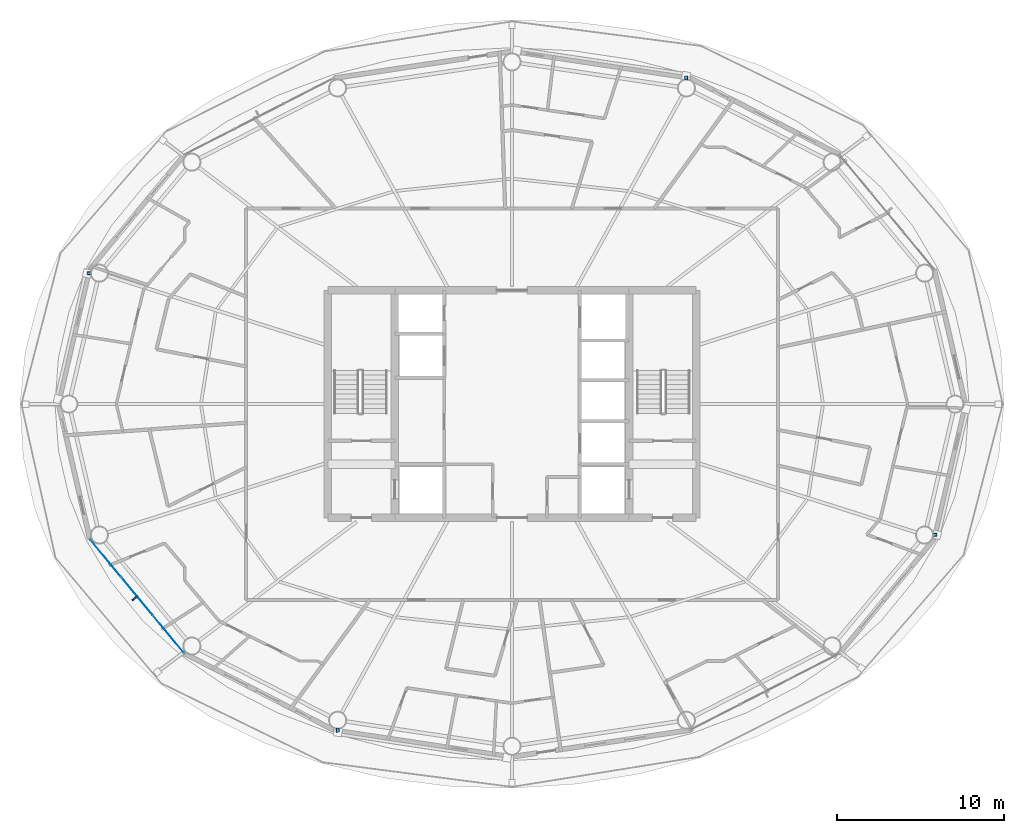
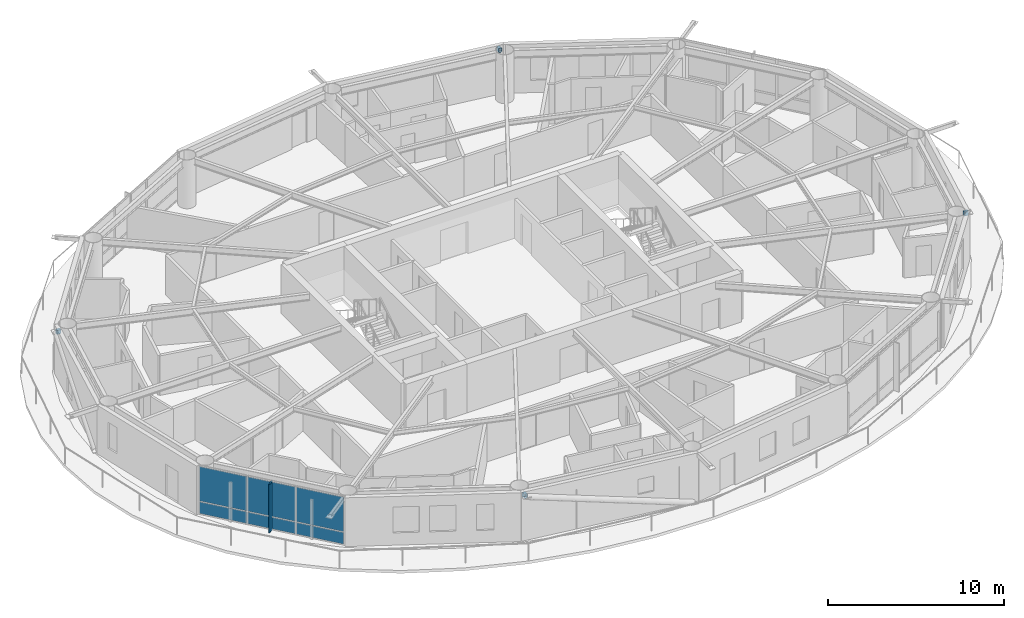
# One storey, part 16 of 29: 7 plates, 4 members, 1 element without a shape of its own.
"""IFC4 building model written with IfcOpenShell, lengths in metres."""

from ifc_helpers import new_model, si_unit, direction, frame, origin, origin_2d, place, context, subcontext, project, spatial, rectangle, hollow_rectangle, extrude, material, layer, layer_set, material_profile, profile_set, type_object, element, aggregate, save


model = new_model("IFC4")

# Units and contexts
model_context = context("Model", 3, precision=1e-05, world=origin(), true_north=direction((0.0, 1.0)))
body_context = subcontext(model_context, "Body", "Model", "MODEL_VIEW")
ifc_project = project(units=[si_unit("LENGTHUNIT", "METRE"), si_unit("AREAUNIT", "SQUARE_METRE"), si_unit("VOLUMEUNIT", "CUBIC_METRE"), si_unit("PLANEANGLEUNIT", "RADIAN"), si_unit("MASSUNIT", "GRAM", prefix="KILO")], contexts=[model_context])

# Site, building, storey
site_placement = place(None, origin())
site = spatial("IfcSite", under=ifc_project, at=site_placement, CompositionType="ELEMENT")
building_placement = place(site_placement, origin())
building = spatial("IfcBuilding", under=site, at=building_placement, Name="Sarneth Arch Tower", CompositionType="ELEMENT")
storey_placement = place(building_placement, frame((0.0, 0.0, 165.0)))
storey = spatial("IfcBuildingStorey", under=building, at=storey_placement, Name="L41", CompositionType="ELEMENT", Elevation=165.0)

# Members
ifc_material_1 = material(Name="Steel S355", Category="steel")
ifc_material_profile = material_profile(ifc_material_1, hollow_rectangle(XDim=0.199951171875, YDim=0.300048828125, WallThickness=0.012451171875, InnerFilletRadius=0.018798828125, OuterFilletRadius=0.03125, at=origin_2d()), Name="RHS300x200x12.5")
ifc_profile_set = profile_set([ifc_material_profile], Name="Steel S355")
member_type = type_object("IfcMemberType", Name="MEM-CANT-STRUT", PredefinedType="STRUT", material=ifc_profile_set)
member_1_placement = place(storey_placement, frame((58.410400390625, 61.36572265625, 3.050537109375), z_axis=(-0.024720435295, 0.999694403345, 0.0), x_axis=(-0.999694403345, -0.024720435295, 0.0)))
element("IfcMember", 1, at=member_1_placement, inside=storey, type_object=member_type, Name="L41 Exoskeleton brace node strut 04B", PredefinedType="STRUT", context=body_context, shape_type="SweptSolid", body=[
    extrude(hollow_rectangle(XDim=0.199951171875, YDim=0.300048828125, WallThickness=0.012451171875, InnerFilletRadius=0.018798828125, OuterFilletRadius=0.03125, at=origin_2d()), origin(), (0.0, 0.0, 1.0), 0.246826171875),
])
member_2_placement = place(storey_placement, frame((22.865478515625, 49.8173828125, 3.050537109375), z_axis=(-0.999852532481, -0.01717303968, 0.0), x_axis=(0.01717303968, -0.999852532481, 0.0)))
element("IfcMember", 2, at=member_2_placement, inside=storey, type_object=member_type, Name="L41 Exoskeleton brace node strut 08B", PredefinedType="STRUT", context=body_context, shape_type="SweptSolid", body=[
    extrude(hollow_rectangle(XDim=0.199951171875, YDim=0.300048828125, WallThickness=0.012451171875, InnerFilletRadius=0.018798828125, OuterFilletRadius=0.03125, at=origin_2d()), origin(), (0.0, 0.0, 1.0), 0.255859375),
])
member_3_placement = place(storey_placement, frame((37.589599609375, 22.63427734375, 3.050537109375), z_axis=(0.024720435295, -0.999694403345, 0.0), x_axis=(0.999694403345, 0.024720435295, 0.0)))
element("IfcMember", 3, at=member_3_placement, inside=storey, type_object=member_type, Name="L41 Exoskeleton brace node strut 12B", PredefinedType="STRUT", context=body_context, shape_type="SweptSolid", body=[
    extrude(hollow_rectangle(XDim=0.199951171875, YDim=0.300048828125, WallThickness=0.012451171875, InnerFilletRadius=0.018798828125, OuterFilletRadius=0.03125, at=origin_2d()), origin(), (0.0, 0.0, 1.0), 0.246826171875),
])
member_4_placement = place(storey_placement, frame((73.134521484375, 34.1826171875, 3.050537109375), z_axis=(0.999852532481, 0.01717303968, 0.0), x_axis=(-0.01717303968, 0.999852532481, 0.0)))
element("IfcMember", 4, at=member_4_placement, inside=storey, type_object=member_type, Name="L41 Exoskeleton brace node strut 16B", PredefinedType="STRUT", context=body_context, shape_type="SweptSolid", body=[
    extrude(hollow_rectangle(XDim=0.199951171875, YDim=0.300048828125, WallThickness=0.012451171875, InnerFilletRadius=0.018798828125, OuterFilletRadius=0.03125, at=origin_2d()), origin(), (0.0, 0.0, 1.0), 0.255859375),
])

# Curtain wall, plates
ifc_material_2 = material(Name="Anodised aluminium Type AA25 and solar-control low-e laminated IGU", Category="aluminium")
ifc_layer_1 = layer(ifc_material_2, 0.169921875)
ifc_layer_set_1 = layer_set([ifc_layer_1], Name="Anodised aluminium Type AA25 and solar-control low-e laminated IGU")
curtain_wall_type = type_object("IfcCurtainWallType", Name="CW-RES-MID", PredefinedType="NOTDEFINED", material=ifc_layer_set_1)
curtain_wall_placement = place(storey_placement, origin())
curtain_wall = element("IfcCurtainWall", 5, at=curtain_wall_placement, inside=storey, type_object=curtain_wall_type, Name="L41 Unitised curtain wall facet 10", PredefinedType="NOTDEFINED")
ifc_material_3 = material(Name="Solar-control low-e laminated IGU", Category="glass")
ifc_layer_2 = layer(ifc_material_3, 0.028076171875)
ifc_layer_set_2 = layer_set([ifc_layer_2], Name="Solar-control low-e laminated IGU")
plate_type_1 = type_object("IfcPlateType", Name="CW-PANEL", PredefinedType="CURTAIN_PANEL", material=ifc_layer_set_2)
plate_1_placement = place(storey_placement, frame((23.719970703125, 32.78173828125, 0.06005859375), z_axis=(0.0, 0.0, 1.0), x_axis=(0.637330298558, -0.770590741276, 0.0)))
plate_1 = element("IfcPlate", 6, at=plate_1_placement, type_object=plate_type_1, Name="Curtain wall glazed vision pane CW-L41-F10/P00-00", PredefinedType="CURTAIN_PANEL", context=body_context, shape_type="SweptSolid", body=[
    extrude(rectangle(XDim=2.8681640625, YDim=0.028076171875, at=origin_2d()), origin(), (0.0, 0.0, 1.0), 0.81005859375),
])
plate_2_placement = place(storey_placement, frame((23.719970703125, 32.78173828125, 0.93017578125), z_axis=(0.0, 0.0, 1.0), x_axis=(0.637330298558, -0.770590741276, 0.0)))
plate_2 = element("IfcPlate", 7, at=plate_2_placement, type_object=plate_type_1, Name="Curtain wall glazed vision pane CW-L41-F10/P00-01", PredefinedType="CURTAIN_PANEL", context=body_context, shape_type="SweptSolid", body=[
    extrude(rectangle(XDim=2.8681640625, YDim=0.028076171875, at=origin_2d()), origin(), (0.0, 0.0, 1.0), 2.389892578125),
])
plate_3_placement = place(storey_placement, frame((25.595703125, 30.513671875, 0.06005859375), z_axis=(0.0, 0.0, 1.0), x_axis=(0.637330298558, -0.770590741276, 0.0)))
plate_3 = element("IfcPlate", 8, at=plate_3_placement, type_object=plate_type_1, Name="Curtain wall glazed vision pane CW-L41-F10/P01-00", PredefinedType="CURTAIN_PANEL", context=body_context, shape_type="SweptSolid", body=[
    extrude(rectangle(XDim=2.898193359375, YDim=0.028076171875, at=origin_2d()), origin(), (0.0, 0.0, 1.0), 0.81005859375),
])
plate_4_placement = place(storey_placement, frame((25.595703125, 30.513671875, 0.93017578125), z_axis=(0.0, 0.0, 1.0), x_axis=(0.637330298558, -0.770590741276, 0.0)))
plate_4 = element("IfcPlate", 9, at=plate_4_placement, type_object=plate_type_1, Name="Curtain wall glazed vision pane CW-L41-F10/P01-01", PredefinedType="CURTAIN_PANEL", context=body_context, shape_type="SweptSolid", body=[
    extrude(rectangle(XDim=2.898193359375, YDim=0.028076171875, at=origin_2d()), origin(), (0.0, 0.0, 1.0), 2.389892578125),
])
plate_5_placement = place(storey_placement, frame((27.4716796875, 28.24560546875, 0.06005859375), z_axis=(0.0, 0.0, 1.0), x_axis=(0.637330298558, -0.770590741276, 0.0)))
plate_5 = element("IfcPlate", 10, at=plate_5_placement, type_object=plate_type_1, Name="Curtain wall glazed vision pane CW-L41-F10/P02-00", PredefinedType="CURTAIN_PANEL", context=body_context, shape_type="SweptSolid", body=[
    extrude(rectangle(XDim=2.8681640625, YDim=0.028076171875, at=origin_2d()), origin(), (0.0, 0.0, 1.0), 0.81005859375),
])
plate_6_placement = place(storey_placement, frame((27.4716796875, 28.24560546875, 0.93017578125), z_axis=(0.0, 0.0, 1.0), x_axis=(0.637330298558, -0.770590741276, 0.0)))
plate_6 = element("IfcPlate", 11, at=plate_6_placement, type_object=plate_type_1, Name="Curtain wall glazed vision pane CW-L41-F10/P02-01", PredefinedType="CURTAIN_PANEL", context=body_context, shape_type="SweptSolid", body=[
    extrude(rectangle(XDim=2.8681640625, YDim=0.028076171875, at=origin_2d()), origin(), (0.0, 0.0, 1.0), 2.389892578125),
])
aggregate(curtain_wall, [plate_1, plate_2, plate_3, plate_4, plate_5, plate_6])

# Plate
ifc_material_4 = material(Name="Extruded glazed terracotta baguette fin on Aluminium 6063-T6 carrier", Category="masonry")
ifc_layer_3 = layer(ifc_material_4, 0.080078125)
ifc_layer_set_3 = layer_set([ifc_layer_3], Name="Extruded glazed terracotta baguette fin on Aluminium 6063-T6 carrier")
plate_type_2 = type_object("IfcPlateType", Name="SHADE-TERRA-FIN", PredefinedType="SHEET", material=ifc_layer_set_3)
plate_7_placement = place(storey_placement, frame((25.46484375, 30.4052734375, 0.009765625), z_axis=(0.0, 0.0, 1.0), x_axis=(-0.770624482513, -0.637289500111, 0.0)))
element("IfcPlate", 12, at=plate_7_placement, inside=storey, type_object=plate_type_2, Name="L41 Terracotta vertical shading fin 10", PredefinedType="SHEET", context=body_context, shape_type="SweptSolid", body=[
    extrude(rectangle(XDim=0.419921875, YDim=0.080078125, at=origin_2d()), origin(), (0.0, 0.0, 1.0), 3.360107421875),
])

save(model, "model.ifc")
